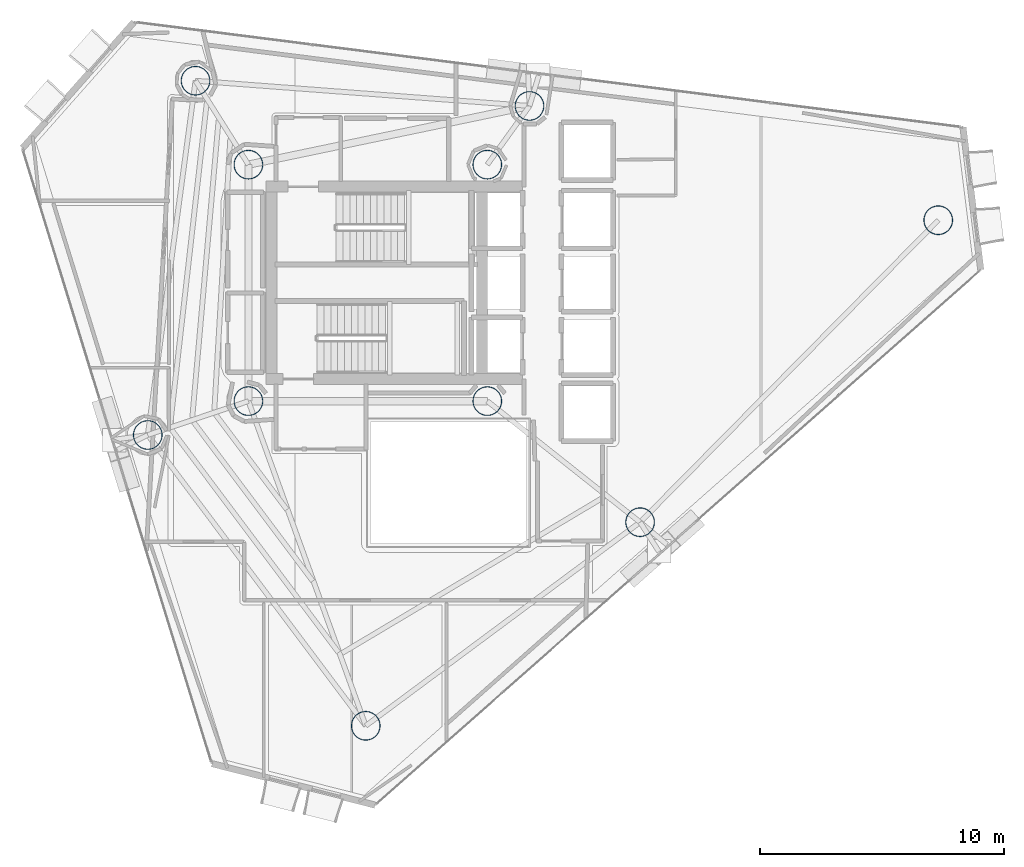
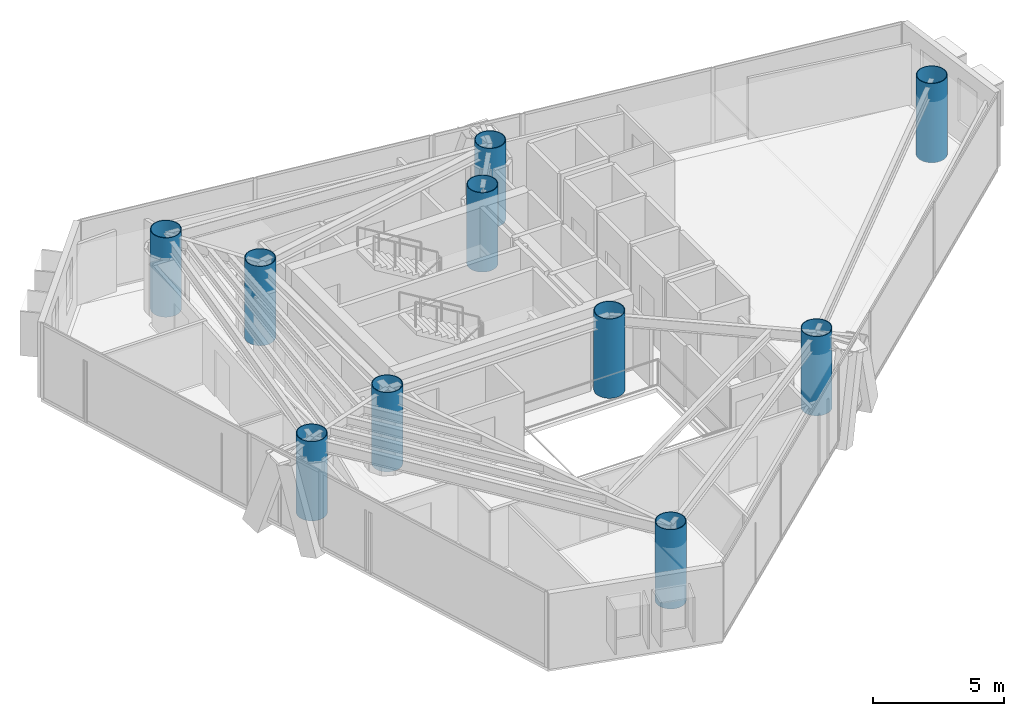
# One storey, part 1 of 23: 10 columns.
"""IFC4 building model written with IfcOpenShell, lengths in metres."""

from ifc_helpers import new_model, si_unit, direction, frame, origin, origin_2d, place, context, subcontext, project, spatial, hollow_circle, extrude, material, material_profile, profile_set, type_object, element, save


model = new_model("IFC4")

# Units and contexts
model_context = context("Model", 3, precision=1e-05, world=origin(), true_north=direction((0.0, 1.0)))
body_context = subcontext(model_context, "Body", "Model", "MODEL_VIEW")
ifc_project = project(units=[si_unit("LENGTHUNIT", "METRE"), si_unit("AREAUNIT", "SQUARE_METRE"), si_unit("VOLUMEUNIT", "CUBIC_METRE"), si_unit("PLANEANGLEUNIT", "RADIAN"), si_unit("MASSUNIT", "GRAM", prefix="KILO")], contexts=[model_context])

# Site, building, storey
site_placement = place(None, origin())
site = spatial("IfcSite", under=ifc_project, at=site_placement, CompositionType="ELEMENT")
building_placement = place(site_placement, origin())
building = spatial("IfcBuilding", under=site, at=building_placement, Name="Qianvela Tower", CompositionType="ELEMENT")
storey_placement = place(building_placement, frame((0.0, 0.0, 218.800048828125)))
storey = spatial("IfcBuildingStorey", under=building, at=storey_placement, Name="L56", CompositionType="ELEMENT", Elevation=218.800048828125)

# Columns
ifc_material = material(Name="Steel Q420GJC", Category="steel")
ifc_material_profile = material_profile(ifc_material, hollow_circle(Radius=0.60009765625, WallThickness=0.030029296875, at=origin_2d()), Name="CFT-1200x30")
ifc_profile_set = profile_set([ifc_material_profile], Name="Steel Q420GJC")
column_type = type_object("IfcColumnType", Name="COL-CFT-1200x30", PredefinedType="COLUMN", material=ifc_profile_set)
for number, where, z_axis, x_axis, name in (
    (1, (28.60009765625, 33.550048828125, 0.0), (0.0, 0.0, 1.0), (1.0, 0.0, 0.0), "L56 Core Corner Mega-Column CC-NW"),
    (2, (28.60009765625, 23.85009765625, 0.0), (0.0, 0.0, 1.0), (1.0, 0.0, 0.0), "L56 Core Corner Mega-Column CC-SW"),
    (3, (38.39990234375, 33.550048828125, 0.0), (0.0, 0.0, 1.0), (1.0, 0.0, 0.0), "L56 Core Corner Mega-Column CC-NE"),
    (4, (38.39990234375, 23.85009765625, 0.0), (0.0, 0.0, 1.0), (1.0, 0.0, 0.0), "L56 Core Corner Mega-Column CC-SE"),
    (5, (56.89697265625, 31.27001953125, 0.0), (0.0, 0.0, 1.0), (1.0, 0.0, 0.0), "L56 Zone Z5 CFT Mega-Column C1"),
    (6, (40.131103515625, 35.9580078125, 0.0), (0.0, 0.0, 1.0), (1.0, 0.0, 0.0), "L56 Zone Z5 CFT Mega-Column C2"),
    (7, (26.430908203125, 36.991943359375, 0.0), (0.0, 0.0, 1.0), (1.0, 0.0, 0.0), "L56 Zone Z5 CFT Mega-Column C3"),
    (8, (24.471923828125, 22.4599609375, 0.0), (0.0, 0.0, 1.0), (1.0, 0.0, 0.0), "L56 Zone Z5 CFT Mega-Column C4"),
    (9, (33.4130859375, 10.531005859375, 0.0), (0.0, 0.0, 1.0), (1.0, 0.0, 0.0), "L56 Zone Z5 CFT Mega-Column C5"),
    (10, (44.6669921875, 18.883056640625, 0.0), (0.0, 0.0, 1.0), (1.0, 0.0, 0.0), "L56 Zone Z5 CFT Mega-Column C6"),
):
    element("IfcColumn", number, at=place(storey_placement, frame(where, z_axis=z_axis, x_axis=x_axis)), inside=storey, type_object=column_type, Name=name, PredefinedType="COLUMN", context=body_context, shape_type="SweptSolid", body=[
        extrude(hollow_circle(Radius=0.60009765625, WallThickness=0.030029296875, at=origin_2d()), origin(), (0.0, 0.0, 1.0), 3.699951171875),
    ])

save(model, "model.ifc")
